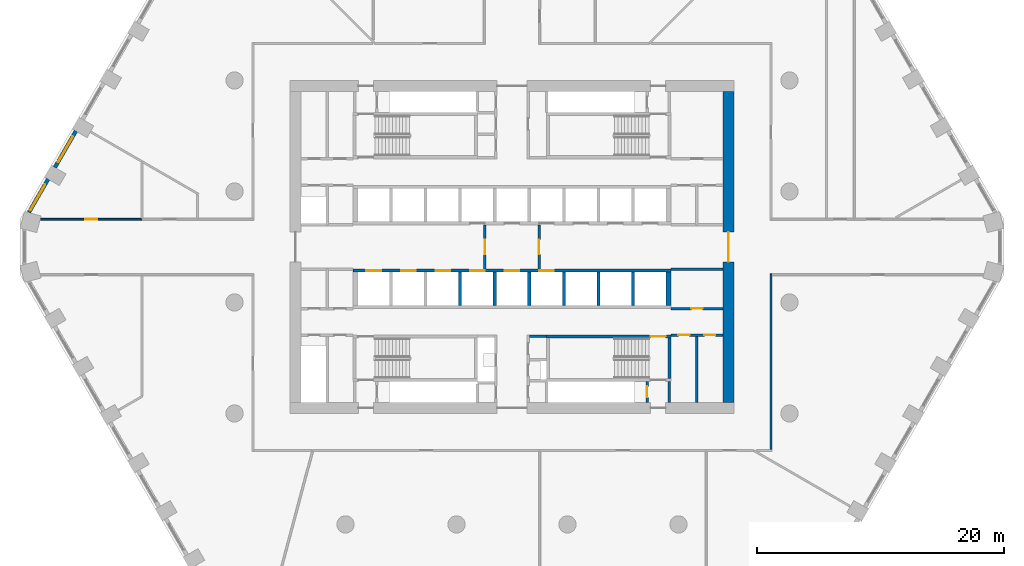
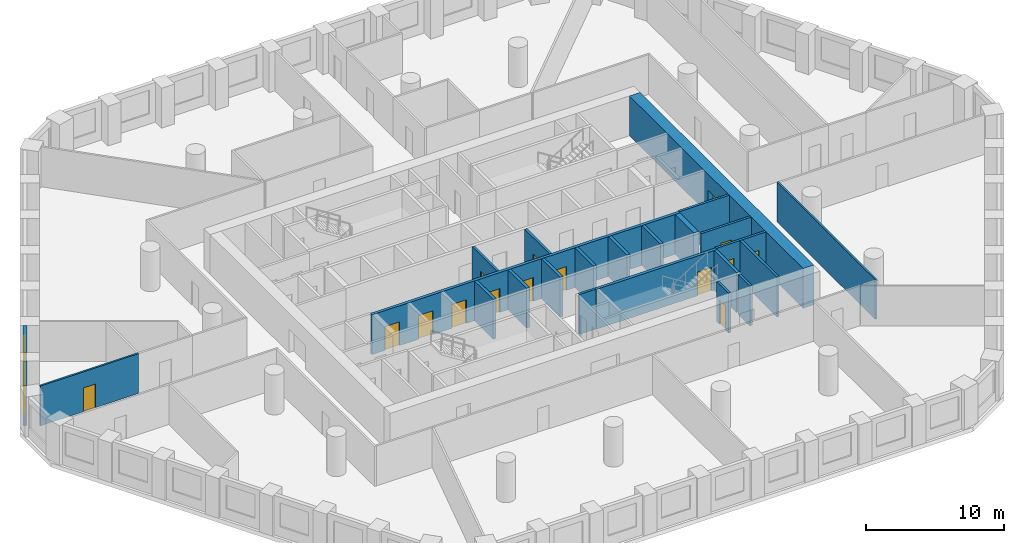
# One storey, part 4 of 10: 24 walls, 15 doors, 2 windows, 17 openings.
"""IFC4 building model written with IfcOpenShell, lengths in metres."""

from ifc_helpers import new_model, si_unit, direction, frame, frame_2d, origin, place, context, subcontext, project, spatial, polyline, rectangle, outline, extrude, material, layer, layer_set, type_object, element, fill, save


model = new_model("IFC4")

# Units and contexts
model_context = context("Model", 3, precision=1e-05, world=origin(), true_north=direction((0.0, 1.0)))
body_context = subcontext(model_context, "Body", "Model", "MODEL_VIEW")
ifc_project = project(units=[si_unit("LENGTHUNIT", "METRE"), si_unit("AREAUNIT", "SQUARE_METRE"), si_unit("VOLUMEUNIT", "CUBIC_METRE"), si_unit("PLANEANGLEUNIT", "RADIAN"), si_unit("MASSUNIT", "GRAM", prefix="KILO")], contexts=[model_context])

# Site, building, storey
site_placement = place(None, origin())
site = spatial("IfcSite", under=ifc_project, at=site_placement, CompositionType="ELEMENT")
building_placement = place(site_placement, origin())
building = spatial("IfcBuilding", under=site, at=building_placement, Name="Dhurran Vertical Campus", CompositionType="ELEMENT")
storey_placement = place(building_placement, frame((0.0, 0.0, 61.199951171875)))
storey = spatial("IfcBuildingStorey", under=building, at=storey_placement, Name="L14", CompositionType="ELEMENT", Elevation=61.199951171875)

# Wall, opening, window
ifc_material_1 = material(Name="Precast concrete C50/60", Category="concrete")
ifc_layer_1 = layer(ifc_material_1, 0.300048828125)
ifc_layer_set_1 = layer_set([ifc_layer_1], Name="Precast concrete C50/60")
wall_type_1 = type_object("IfcWallType", Name="Precast spandrel wall 300", PredefinedType="SOLIDWALL", material=ifc_layer_set_1)
wall_1_placement = place(storey_placement, frame((-35.369384765625, 9.392578125, 0.0), z_axis=(0.0, 0.0, 1.0), x_axis=(-0.499993955907, -0.866028893315, 0.0)))
wall_1 = element("IfcWall", 1, at=wall_1_placement, inside=storey, type_object=wall_type_1, Name="EW1 L14.41", PredefinedType="SOLIDWALL", context=body_context, shape_type="SweptSolid", body=[
    extrude(rectangle(XDim=3.39892578125, YDim=0.300048828125, at=frame_2d((1.699462890625, 0.0))), origin(), (0.0, 0.0, 1.0), 3.525146484375),
])
opening_1_placement = place(wall_1_placement, frame((0.49951171875, 0.0, 0.89990234375)))
opening_1 = element("IfcOpeningElement", 2, at=opening_1_placement, cuts=wall_1, Name="Opening WT1", PredefinedType="OPENING", context=body_context, shape_type="SweptSolid", body=[
    extrude(rectangle(XDim=2.39990234375, YDim=2.10009765625, at=frame_2d((1.199951171875, 1.050048828125))), frame((0.0, 0.159912109375, 0.0), z_axis=(0.0, -1.0, 0.0), x_axis=(1.0, 0.0, 0.0)), (0.0, 0.0, 1.0), 0.320068359375),
])
ifc_material_2 = material(Name="Aluminium frame with solar-control glass", Category="aluminium")
window_type = type_object("IfcWindowType", Name="Punched window 2400 x 2100", PartitioningType="SINGLE_PANEL", PredefinedType="WINDOW", material=ifc_material_2)
window_1_placement = place(opening_1_placement, origin())
window_1 = element("IfcWindow", 3, at=window_1_placement, inside=storey, type_object=window_type, Name="WT1 L14.41", OverallHeight=2.10009765625, OverallWidth=2.39990234375, PartitioningType="SINGLE_PANEL", PredefinedType="WINDOW", context=body_context, shape_type="SweptSolid", body=[
    extrude(rectangle(XDim=2.39990234375, YDim=2.10009765625, at=frame_2d((1.199951171875, 1.050048828125))), frame((0.0, 0.030029296875, 0.0), z_axis=(0.0, -1.0, 0.0), x_axis=(1.0, 0.0, 0.0)), (0.0, 0.0, 1.0), 0.06005859375),
])
fill(opening_1, window_1)

wall_2_placement = place(storey_placement, frame((-37.619384765625, 5.495361328125, 0.0), z_axis=(0.0, 0.0, 1.0), x_axis=(-0.49997090907, -0.866042198789, 0.0)))
wall_2 = element("IfcWall", 4, at=wall_2_placement, inside=storey, type_object=wall_type_1, Name="EW1 L14.42", PredefinedType="SOLIDWALL", context=body_context, shape_type="SweptSolid", body=[
    extrude(rectangle(XDim=3.090576171875, YDim=0.300048828125, at=frame_2d((1.54541015625, 0.0))), origin(), (0.0, 0.0, 1.0), 3.525146484375),
])
opening_2_placement = place(wall_2_placement, frame((0.49951171875, 0.0, 0.89990234375)))
opening_2 = element("IfcOpeningElement", 5, at=opening_2_placement, cuts=wall_2, Name="Opening WT1", PredefinedType="OPENING", context=body_context, shape_type="SweptSolid", body=[
    extrude(rectangle(XDim=2.39990234375, YDim=2.10009765625, at=frame_2d((1.199951171875, 1.050048828125))), frame((0.0, 0.159912109375, 0.0), z_axis=(0.0, -1.0, 0.0), x_axis=(1.0, 0.0, 0.0)), (0.0, 0.0, 1.0), 0.320068359375),
])
window_2_placement = place(opening_2_placement, origin())
window_2 = element("IfcWindow", 6, at=window_2_placement, inside=storey, type_object=window_type, Name="WT1 L14.42", OverallHeight=2.10009765625, OverallWidth=2.39990234375, PartitioningType="SINGLE_PANEL", PredefinedType="WINDOW", context=body_context, shape_type="SweptSolid", body=[
    extrude(rectangle(XDim=2.39990234375, YDim=2.10009765625, at=frame_2d((1.199951171875, 1.050048828125))), frame((0.0, 0.030029296875, 0.0), z_axis=(0.0, -1.0, 0.0), x_axis=(1.0, 0.0, 0.0)), (0.0, 0.0, 1.0), 0.06005859375),
])
fill(opening_2, window_2)

# Wall, opening, door
ifc_material_3 = material(Name="Concrete C60/75", Category="concrete")
ifc_layer_2 = layer(ifc_material_3, 0.89990234375)
ifc_layer_set_2 = layer_set([ifc_layer_2], Name="Concrete C60/75")
wall_type_2 = type_object("IfcWallType", Name="co-CORE-WALL-C0-900", PredefinedType="SHEAR", material=ifc_layer_set_2)
wall_3_placement = place(storey_placement, frame((17.550048828125, -12.60009765625, 0.0), z_axis=(0.0, 0.0, 1.0), x_axis=(0.0, 1.0, 0.0)))
wall_3 = element("IfcWall", 7, at=wall_3_placement, inside=storey, type_object=wall_type_2, Name="Core wall E L14", PredefinedType="SHEAR", context=body_context, shape_type="SweptSolid", body=[
    extrude(rectangle(XDim=25.2001953125, YDim=0.89990234375, at=frame_2d((12.60009765625, 0.0))), origin(), (0.0, 0.0, 1.0), 3.525146484375),
])
opening_3_placement = place(wall_3_placement, frame((11.39990234375, 0.0, 0.0)))
opening_3 = element("IfcOpeningElement", 8, at=opening_3_placement, cuts=wall_3, Name="Opening CL2", PredefinedType="OPENING", context=body_context, shape_type="SweptSolid", body=[
    extrude(rectangle(XDim=2.39990234375, YDim=2.10009765625, at=frame_2d((1.199951171875, 1.050048828125))), frame((0.0, 0.4599609375, 0.0), z_axis=(0.0, -1.0, 0.0), x_axis=(1.0, 0.0, 0.0)), (0.0, 0.0, 1.0), 0.919921875),
])
ifc_material_4 = material(Name="Fire-rated glazed door set")
door_type_1 = type_object("IfcDoorType", Name="co-D-LOBBY 2400x2100", OperationType="DOUBLE_DOOR_DOUBLE_SWING", PredefinedType="DOOR", material=ifc_material_4)
door_1_placement = place(opening_3_placement, origin())
door_1 = element("IfcDoor", 9, at=door_1_placement, inside=storey, type_object=door_type_1, Name="Lift lobby door E L14", OperationType="DOUBLE_DOOR_DOUBLE_SWING", OverallHeight=2.10009765625, OverallWidth=2.39990234375, PredefinedType="DOOR", context=body_context, shape_type="SweptSolid", body=[
    extrude(rectangle(XDim=2.39990234375, YDim=2.10009765625, at=frame_2d((1.199951171875, 1.050048828125))), frame((0.0, 0.02490234375, 0.0), z_axis=(0.0, -1.0, 0.0), x_axis=(1.0, 0.0, 0.0)), (0.0, 0.0, 1.0), 0.050048828125),
])
fill(opening_3, door_1)

ifc_material_5 = material(Name="Fire-rated masonry blockwork", Category="masonry")
ifc_layer_3 = layer(ifc_material_5, 0.199951171875)
ifc_layer_set_3 = layer_set([ifc_layer_3], Name="Fire-rated masonry blockwork")
wall_type_3 = type_object("IfcWallType", Name="co-FIRE-PARTITION-200", PredefinedType="PARTITIONING", material=ifc_layer_set_3)
wall_4_placement = place(storey_placement, frame((-2.199951171875, -1.800048828125, 0.0), z_axis=(0.0, 0.0, 1.0), x_axis=(0.0, 1.0, 0.0)))
wall_4 = element("IfcWall", 10, at=wall_4_placement, inside=storey, type_object=wall_type_3, Name="Firefighting lobby wall W L14", PredefinedType="PARTITIONING", context=body_context, shape_type="SweptSolid", body=[
    extrude(rectangle(XDim=3.60009765625, YDim=0.199951171875, at=frame_2d((1.800048828125, 0.0))), origin(), (0.0, 0.0, 1.0), 3.525146484375),
])
opening_4_placement = place(wall_4_placement, frame((1.199951171875, 0.0, 0.0)))
opening_4 = element("IfcOpeningElement", 11, at=opening_4_placement, cuts=wall_4, Name="Opening FL1", PredefinedType="OPENING", context=body_context, shape_type="SweptSolid", body=[
    extrude(rectangle(XDim=1.199951171875, YDim=2.10009765625, at=frame_2d((0.60009765625, 1.050048828125))), frame((0.0, 0.10986328125, 0.0), z_axis=(0.0, -1.0, 0.0), x_axis=(1.0, 0.0, 0.0)), (0.0, 0.0, 1.0), 0.219970703125),
])
ifc_material_6 = material(Name="Fire-rated steel door set", Category="steel")
door_type_2 = type_object("IfcDoorType", Name="co-D-FFLOBBY 1200x2100", OperationType="SINGLE_SWING_LEFT", PredefinedType="DOOR", material=ifc_material_6)
door_2_placement = place(opening_4_placement, origin())
door_2 = element("IfcDoor", 12, at=door_2_placement, inside=storey, type_object=door_type_2, Name="Firefighting lobby door W L14", OperationType="SINGLE_SWING_LEFT", OverallHeight=2.10009765625, OverallWidth=1.199951171875, PredefinedType="DOOR", context=body_context, shape_type="SweptSolid", body=[
    extrude(rectangle(XDim=1.199951171875, YDim=2.10009765625, at=frame_2d((0.60009765625, 1.050048828125))), frame((0.0, 0.02490234375, 0.0), z_axis=(0.0, -1.0, 0.0), x_axis=(1.0, 0.0, 0.0)), (0.0, 0.0, 1.0), 0.050048828125),
])
fill(opening_4, door_2)

wall_5_placement = place(storey_placement, frame((2.199951171875, -1.800048828125, 0.0), z_axis=(0.0, 0.0, 1.0), x_axis=(0.0, 1.0, 0.0)))
wall_5 = element("IfcWall", 13, at=wall_5_placement, inside=storey, type_object=wall_type_3, Name="Firefighting lobby wall E L14", PredefinedType="PARTITIONING", context=body_context, shape_type="SweptSolid", body=[
    extrude(rectangle(XDim=3.60009765625, YDim=0.199951171875, at=frame_2d((1.800048828125, 0.0))), origin(), (0.0, 0.0, 1.0), 3.525146484375),
])
opening_5_placement = place(wall_5_placement, frame((1.199951171875, 0.0, 0.0)))
opening_5 = element("IfcOpeningElement", 14, at=opening_5_placement, cuts=wall_5, Name="Opening FL2", PredefinedType="OPENING", context=body_context, shape_type="SweptSolid", body=[
    extrude(rectangle(XDim=1.199951171875, YDim=2.10009765625, at=frame_2d((0.60009765625, 1.050048828125))), frame((0.0, 0.10986328125, 0.0), z_axis=(0.0, -1.0, 0.0), x_axis=(1.0, 0.0, 0.0)), (0.0, 0.0, 1.0), 0.219970703125),
])
door_3_placement = place(opening_5_placement, origin())
door_3 = element("IfcDoor", 15, at=door_3_placement, inside=storey, type_object=door_type_2, Name="Firefighting lobby door E L14", OperationType="SINGLE_SWING_LEFT", OverallHeight=2.10009765625, OverallWidth=1.199951171875, PredefinedType="DOOR", context=body_context, shape_type="SweptSolid", body=[
    extrude(rectangle(XDim=1.199951171875, YDim=2.10009765625, at=frame_2d((0.60009765625, 1.050048828125))), frame((0.0, 0.02490234375, 0.0), z_axis=(0.0, -1.0, 0.0), x_axis=(1.0, 0.0, 0.0)), (0.0, 0.0, 1.0), 0.050048828125),
])
fill(opening_5, door_3)

# Walls
wall_6_placement = place(storey_placement, frame((1.39990234375, -7.25, 0.0), z_axis=(0.0, 0.0, 1.0), x_axis=(1.0, 0.0, 0.0)))
element("IfcWall", 16, at=wall_6_placement, inside=storey, type_object=wall_type_3, Name="Core partition sl-SE-S L14", PredefinedType="PARTITIONING", context=body_context, shape_type="SweptSolid", body=[
    extrude(rectangle(XDim=1.400146484375, YDim=0.199951171875, at=frame_2d((0.7001953125, 0.0))), origin(), (0.0, 0.0, 1.0), 3.525146484375),
])
wall_7_placement = place(storey_placement, frame((12.75, -12.60009765625, 0.0), z_axis=(0.0, 0.0, 1.0), x_axis=(0.0, 1.0, 0.0)))
element("IfcWall", 17, at=wall_7_placement, inside=storey, type_object=wall_type_3, Name="Core partition pass-ST4-o L14", PredefinedType="PARTITIONING", context=body_context, shape_type="SweptSolid", body=[
    extrude(rectangle(XDim=1.7001953125, YDim=0.199951171875, at=frame_2d((0.85009765625, 0.0))), origin(), (0.0, 0.0, 1.0), 3.525146484375),
])

# Wall, opening, door
wall_8_placement = place(storey_placement, frame((10.949951171875, -12.60009765625, 0.0), z_axis=(0.0, 0.0, 1.0), x_axis=(0.0, 1.0, 0.0)))
wall_8 = element("IfcWall", 18, at=wall_8_placement, inside=storey, type_object=wall_type_3, Name="Core partition pass-ST4-i L14", PredefinedType="PARTITIONING", context=body_context, shape_type="SweptSolid", body=[
    extrude(rectangle(XDim=1.7001953125, YDim=0.199951171875, at=frame_2d((0.85009765625, 0.0))), origin(), (0.0, 0.0, 1.0), 3.525146484375),
])
opening_6_placement = place(wall_8_placement, frame((0.39990234375, 0.0, 0.0)))
opening_6 = element("IfcOpeningElement", 19, at=opening_6_placement, cuts=wall_8, Name="Opening T03-C13", PredefinedType="OPENING", context=body_context, shape_type="SweptSolid", body=[
    extrude(rectangle(XDim=0.89990234375, YDim=2.10009765625, at=frame_2d((0.449951171875, 1.050048828125))), frame((0.0, 0.10986328125, 0.0), z_axis=(0.0, -1.0, 0.0), x_axis=(1.0, 0.0, 0.0)), (0.0, 0.0, 1.0), 0.219970703125),
])
ifc_material_7 = material(Name="Fire-rated timber door set", Category="wood")
door_type_3 = type_object("IfcDoorType", Name="co-D-ROOM 900x2100", OperationType="SINGLE_SWING_LEFT", PredefinedType="DOOR", material=ifc_material_7)
door_4_placement = place(opening_6_placement, origin())
door_4 = element("IfcDoor", 20, at=door_4_placement, inside=storey, type_object=door_type_3, Name="Riser room door L14", OperationType="SINGLE_SWING_LEFT", OverallHeight=2.10009765625, OverallWidth=0.89990234375, PredefinedType="DOOR", context=body_context, shape_type="SweptSolid", body=[
    extrude(rectangle(XDim=0.89990234375, YDim=2.10009765625, at=frame_2d((0.449951171875, 1.050048828125))), frame((0.0, 0.02490234375, 0.0), z_axis=(0.0, -1.0, 0.0), x_axis=(1.0, 0.0, 0.0)), (0.0, 0.0, 1.0), 0.050048828125),
])
fill(opening_6, door_4)

# Wall
wall_9_placement = place(storey_placement, frame((15.0, -12.60009765625, 0.0), z_axis=(0.0, 0.0, 1.0), x_axis=(0.0, 1.0, 0.0)))
element("IfcWall", 21, at=wall_9_placement, inside=storey, type_object=wall_type_3, Name="Core partition en-SE-cut0 L14", PredefinedType="PARTITIONING", context=body_context, shape_type="SweptSolid", body=[
    extrude(rectangle(XDim=5.4501953125, YDim=0.199951171875, at=frame_2d((2.72509765625, 0.0))), origin(), (0.0, 0.0, 1.0), 3.525146484375),
])

# Wall, openings, doors
wall_10_placement = place(storey_placement, frame((12.89990234375, -7.14990234375, 0.0), z_axis=(0.0, 0.0, 1.0), x_axis=(1.0, 0.0, 0.0)))
wall_10 = element("IfcWall", 22, at=wall_10_placement, inside=storey, type_object=wall_type_3, Name="Core partition en-SE-w L14", PredefinedType="PARTITIONING", context=body_context, shape_type="SweptSolid", body=[
    extrude(rectangle(XDim=4.2001953125, YDim=0.199951171875, at=frame_2d((2.10009765625, 0.0))), origin(), (0.0, 0.0, 1.0), 3.525146484375),
])
opening_7_placement = place(wall_10_placement, frame((0.60009765625, 0.0, 0.0)))
opening_7 = element("IfcOpeningElement", 23, at=opening_7_placement, cuts=wall_10, Name="Opening T03-C25", PredefinedType="OPENING", context=body_context, shape_type="SweptSolid", body=[
    extrude(rectangle(XDim=0.89990234375, YDim=2.10009765625, at=frame_2d((0.449951171875, 1.050048828125))), frame((0.0, 0.10986328125, 0.0), z_axis=(0.0, -1.0, 0.0), x_axis=(1.0, 0.0, 0.0)), (0.0, 0.0, 1.0), 0.219970703125),
])
opening_8_placement = place(wall_10_placement, frame((2.699951171875, 0.0, 0.0)))
opening_8 = element("IfcOpeningElement", 24, at=opening_8_placement, cuts=wall_10, Name="Opening T03-C26", PredefinedType="OPENING", context=body_context, shape_type="SweptSolid", body=[
    extrude(rectangle(XDim=0.89990234375, YDim=2.10009765625, at=frame_2d((0.449951171875, 1.050048828125))), frame((0.0, 0.10986328125, 0.0), z_axis=(0.0, -1.0, 0.0), x_axis=(1.0, 0.0, 0.0)), (0.0, 0.0, 1.0), 0.219970703125),
])
door_5_placement = place(opening_7_placement, origin())
door_5 = element("IfcDoor", 25, at=door_5_placement, inside=storey, type_object=door_type_3, Name="Server room door L14", OperationType="SINGLE_SWING_LEFT", OverallHeight=2.10009765625, OverallWidth=0.89990234375, PredefinedType="DOOR", context=body_context, shape_type="SweptSolid", body=[
    extrude(rectangle(XDim=0.89990234375, YDim=2.10009765625, at=frame_2d((0.449951171875, 1.050048828125))), frame((0.0, 0.02490234375, 0.0), z_axis=(0.0, -1.0, 0.0), x_axis=(1.0, 0.0, 0.0)), (0.0, 0.0, 1.0), 0.050048828125),
])
fill(opening_7, door_5)
door_6_placement = place(opening_8_placement, origin())
door_6 = element("IfcDoor", 26, at=door_6_placement, inside=storey, type_object=door_type_3, Name="Fire equipment store door L14", OperationType="SINGLE_SWING_LEFT", OverallHeight=2.10009765625, OverallWidth=0.89990234375, PredefinedType="DOOR", context=body_context, shape_type="SweptSolid", body=[
    extrude(rectangle(XDim=0.89990234375, YDim=2.10009765625, at=frame_2d((0.449951171875, 1.050048828125))), frame((0.0, 0.02490234375, 0.0), z_axis=(0.0, -1.0, 0.0), x_axis=(1.0, 0.0, 0.0)), (0.0, 0.0, 1.0), 0.050048828125),
])
fill(opening_8, door_6)

# Wall, opening, door
wall_11_placement = place(storey_placement, frame((12.89990234375, -5.0, 0.0), z_axis=(0.0, 0.0, 1.0), x_axis=(1.0, 0.0, 0.0)))
wall_11 = element("IfcWall", 27, at=wall_11_placement, inside=storey, type_object=wall_type_3, Name="Core partition es-SE-w L14", PredefinedType="PARTITIONING", context=body_context, shape_type="SweptSolid", body=[
    extrude(rectangle(XDim=4.2001953125, YDim=0.199951171875, at=frame_2d((2.10009765625, 0.0))), origin(), (0.0, 0.0, 1.0), 3.525146484375),
])
opening_9_placement = place(wall_11_placement, frame((1.64990234375, 0.0, 0.0)))
opening_9 = element("IfcOpeningElement", 28, at=opening_9_placement, cuts=wall_11, Name="Opening T03-C27", PredefinedType="OPENING", context=body_context, shape_type="SweptSolid", body=[
    extrude(rectangle(XDim=0.89990234375, YDim=2.10009765625, at=frame_2d((0.449951171875, 1.050048828125))), frame((0.0, 0.10986328125, 0.0), z_axis=(0.0, -1.0, 0.0), x_axis=(1.0, 0.0, 0.0)), (0.0, 0.0, 1.0), 0.219970703125),
])
door_7_placement = place(opening_9_placement, origin())
door_7 = element("IfcDoor", 29, at=door_7_placement, inside=storey, type_object=door_type_3, Name="Server room door L14", OperationType="SINGLE_SWING_LEFT", OverallHeight=2.10009765625, OverallWidth=0.89990234375, PredefinedType="DOOR", context=body_context, shape_type="SweptSolid", body=[
    extrude(rectangle(XDim=0.89990234375, YDim=2.10009765625, at=frame_2d((0.449951171875, 1.050048828125))), frame((0.0, 0.02490234375, 0.0), z_axis=(0.0, -1.0, 0.0), x_axis=(1.0, 0.0, 0.0)), (0.0, 0.0, 1.0), 0.050048828125),
])
fill(opening_9, door_7)

# Wall
wall_12_placement = place(storey_placement, frame((12.89990234375, -1.800048828125, 0.0), z_axis=(0.0, 0.0, 1.0), x_axis=(1.0, 0.0, 0.0)))
element("IfcWall", 30, at=wall_12_placement, inside=storey, type_object=wall_type_3, Name="Core partition es-SE-l L14", PredefinedType="PARTITIONING", context=body_context, shape_type="SweptSolid", body=[
    extrude(rectangle(XDim=4.2001953125, YDim=0.199951171875, at=frame_2d((2.10009765625, 0.0))), origin(), (0.0, 0.0, 1.0), 3.525146484375),
])

# Wall, openings, doors
ifc_material_8 = material(Name="Concrete C50/60", Category="concrete")
ifc_layer_4 = layer(ifc_material_8, 0.25)
ifc_layer_set_4 = layer_set([ifc_layer_4], Name="Concrete C50/60")
wall_type_4 = type_object("IfcWallType", Name="co-SHAFT-FRONT-250", PredefinedType="SHEAR", material=ifc_layer_set_4)
wall_13_placement = place(storey_placement, frame((-12.89990234375, -1.925048828125, 0.0), z_axis=(0.0, 0.0, 1.0), x_axis=(1.0, 0.0, 0.0)))
wall_13 = element("IfcWall", 31, at=wall_13_placement, inside=storey, type_object=wall_type_4, Name="Lift landing wall S L14", PredefinedType="SHEAR", context=body_context, shape_type="SweptSolid", body=[
    extrude(rectangle(XDim=25.7998046875, YDim=0.25, at=frame_2d((12.89990234375, 0.0))), origin(), (0.0, 0.0, 1.0), 3.525146484375),
])
opening_10_placement = place(wall_13_placement, frame((1.10009765625, 0.0, 0.0)))
opening_10 = element("IfcOpeningElement", 32, at=opening_10_placement, cuts=wall_13, Name="Opening LD", PredefinedType="OPENING", context=body_context, shape_type="SweptSolid", body=[
    extrude(rectangle(XDim=1.199951171875, YDim=2.10009765625, at=frame_2d((0.60009765625, 1.050048828125))), frame((0.0, 0.135009765625, 0.0), z_axis=(0.0, -1.0, 0.0), x_axis=(1.0, 0.0, 0.0)), (0.0, 0.0, 1.0), 0.27001953125),
])
opening_11_placement = place(wall_13_placement, frame((3.89990234375, 0.0, 0.0)))
opening_11 = element("IfcOpeningElement", 33, at=opening_11_placement, cuts=wall_13, Name="Opening LD", PredefinedType="OPENING", context=body_context, shape_type="SweptSolid", body=[
    extrude(rectangle(XDim=1.199951171875, YDim=2.10009765625, at=frame_2d((0.60009765625, 1.050048828125))), frame((0.0, 0.135009765625, 0.0), z_axis=(0.0, -1.0, 0.0), x_axis=(1.0, 0.0, 0.0)), (0.0, 0.0, 1.0), 0.27001953125),
])
opening_12_placement = place(wall_13_placement, frame((6.699951171875, 0.0, 0.0)))
opening_12 = element("IfcOpeningElement", 34, at=opening_12_placement, cuts=wall_13, Name="Opening LD", PredefinedType="OPENING", context=body_context, shape_type="SweptSolid", body=[
    extrude(rectangle(XDim=1.199951171875, YDim=2.10009765625, at=frame_2d((0.60009765625, 1.050048828125))), frame((0.0, 0.135009765625, 0.0), z_axis=(0.0, -1.0, 0.0), x_axis=(1.0, 0.0, 0.0)), (0.0, 0.0, 1.0), 0.27001953125),
])
opening_13_placement = place(wall_13_placement, frame((9.5, 0.0, 0.0)))
opening_13 = element("IfcOpeningElement", 35, at=opening_13_placement, cuts=wall_13, Name="Opening LD", PredefinedType="OPENING", context=body_context, shape_type="SweptSolid", body=[
    extrude(rectangle(XDim=1.199951171875, YDim=2.10009765625, at=frame_2d((0.60009765625, 1.050048828125))), frame((0.0, 0.135009765625, 0.0), z_axis=(0.0, -1.0, 0.0), x_axis=(1.0, 0.0, 0.0)), (0.0, 0.0, 1.0), 0.27001953125),
])
opening_14_placement = place(wall_13_placement, frame((12.300048828125, 0.0, 0.0)))
opening_14 = element("IfcOpeningElement", 36, at=opening_14_placement, cuts=wall_13, Name="Opening LD", PredefinedType="OPENING", context=body_context, shape_type="SweptSolid", body=[
    extrude(rectangle(XDim=1.199951171875, YDim=2.10009765625, at=frame_2d((0.60009765625, 1.050048828125))), frame((0.0, 0.135009765625, 0.0), z_axis=(0.0, -1.0, 0.0), x_axis=(1.0, 0.0, 0.0)), (0.0, 0.0, 1.0), 0.27001953125),
])
opening_15_placement = place(wall_13_placement, frame((15.10009765625, 0.0, 0.0)))
opening_15 = element("IfcOpeningElement", 37, at=opening_15_placement, cuts=wall_13, Name="Opening LD", PredefinedType="OPENING", context=body_context, shape_type="SweptSolid", body=[
    extrude(rectangle(XDim=1.199951171875, YDim=2.10009765625, at=frame_2d((0.60009765625, 1.050048828125))), frame((0.0, 0.135009765625, 0.0), z_axis=(0.0, -1.0, 0.0), x_axis=(1.0, 0.0, 0.0)), (0.0, 0.0, 1.0), 0.27001953125),
])
ifc_material_9 = material(Name="Stainless steel landing door", Category="steel")
door_type_4 = type_object("IfcDoorType", Name="co-D-LANDING 1200x2100", OperationType="DOUBLE_DOOR_SLIDING", PredefinedType="DOOR", material=ifc_material_9)
door_8_placement = place(opening_10_placement, origin())
door_8 = element("IfcDoor", 38, at=door_8_placement, inside=storey, type_object=door_type_4, Name="Landing door LR5 L14", OperationType="DOUBLE_DOOR_SLIDING", OverallHeight=2.10009765625, OverallWidth=1.199951171875, PredefinedType="DOOR", context=body_context, shape_type="SweptSolid", body=[
    extrude(rectangle(XDim=1.199951171875, YDim=2.10009765625, at=frame_2d((0.60009765625, 1.050048828125))), frame((0.0, 0.02490234375, 0.0), z_axis=(0.0, -1.0, 0.0), x_axis=(1.0, 0.0, 0.0)), (0.0, 0.0, 1.0), 0.050048828125),
])
fill(opening_10, door_8)
door_9_placement = place(opening_11_placement, origin())
door_9 = element("IfcDoor", 39, at=door_9_placement, inside=storey, type_object=door_type_4, Name="Landing door LR6 L14", OperationType="DOUBLE_DOOR_SLIDING", OverallHeight=2.10009765625, OverallWidth=1.199951171875, PredefinedType="DOOR", context=body_context, shape_type="SweptSolid", body=[
    extrude(rectangle(XDim=1.199951171875, YDim=2.10009765625, at=frame_2d((0.60009765625, 1.050048828125))), frame((0.0, 0.02490234375, 0.0), z_axis=(0.0, -1.0, 0.0), x_axis=(1.0, 0.0, 0.0)), (0.0, 0.0, 1.0), 0.050048828125),
])
fill(opening_11, door_9)
door_10_placement = place(opening_12_placement, origin())
door_10 = element("IfcDoor", 40, at=door_10_placement, inside=storey, type_object=door_type_4, Name="Landing door LR7 L14", OperationType="DOUBLE_DOOR_SLIDING", OverallHeight=2.10009765625, OverallWidth=1.199951171875, PredefinedType="DOOR", context=body_context, shape_type="SweptSolid", body=[
    extrude(rectangle(XDim=1.199951171875, YDim=2.10009765625, at=frame_2d((0.60009765625, 1.050048828125))), frame((0.0, 0.02490234375, 0.0), z_axis=(0.0, -1.0, 0.0), x_axis=(1.0, 0.0, 0.0)), (0.0, 0.0, 1.0), 0.050048828125),
])
fill(opening_12, door_10)
door_11_placement = place(opening_13_placement, origin())
door_11 = element("IfcDoor", 41, at=door_11_placement, inside=storey, type_object=door_type_4, Name="Landing door LR8 L14", OperationType="DOUBLE_DOOR_SLIDING", OverallHeight=2.10009765625, OverallWidth=1.199951171875, PredefinedType="DOOR", context=body_context, shape_type="SweptSolid", body=[
    extrude(rectangle(XDim=1.199951171875, YDim=2.10009765625, at=frame_2d((0.60009765625, 1.050048828125))), frame((0.0, 0.02490234375, 0.0), z_axis=(0.0, -1.0, 0.0), x_axis=(1.0, 0.0, 0.0)), (0.0, 0.0, 1.0), 0.050048828125),
])
fill(opening_13, door_11)
door_12_placement = place(opening_14_placement, origin())
door_12 = element("IfcDoor", 42, at=door_12_placement, inside=storey, type_object=door_type_4, Name="Landing door FF2 L14", OperationType="DOUBLE_DOOR_SLIDING", OverallHeight=2.10009765625, OverallWidth=1.199951171875, PredefinedType="DOOR", context=body_context, shape_type="SweptSolid", body=[
    extrude(rectangle(XDim=1.199951171875, YDim=2.10009765625, at=frame_2d((0.60009765625, 1.050048828125))), frame((0.0, 0.02490234375, 0.0), z_axis=(0.0, -1.0, 0.0), x_axis=(1.0, 0.0, 0.0)), (0.0, 0.0, 1.0), 0.050048828125),
])
fill(opening_14, door_12)
door_13_placement = place(opening_15_placement, origin())
door_13 = element("IfcDoor", 43, at=door_13_placement, inside=storey, type_object=door_type_4, Name="Landing door SV1 L14", OperationType="DOUBLE_DOOR_SLIDING", OverallHeight=2.10009765625, OverallWidth=1.199951171875, PredefinedType="DOOR", context=body_context, shape_type="SweptSolid", body=[
    extrude(rectangle(XDim=1.199951171875, YDim=2.10009765625, at=frame_2d((0.60009765625, 1.050048828125))), frame((0.0, 0.02490234375, 0.0), z_axis=(0.0, -1.0, 0.0), x_axis=(1.0, 0.0, 0.0)), (0.0, 0.0, 1.0), 0.050048828125),
])
fill(opening_15, door_13)

# Walls
ifc_material_10 = material(Name="Concrete C50/60", Category="concrete")
ifc_layer_5 = layer(ifc_material_10, 0.25)
ifc_layer_set_5 = layer_set([ifc_layer_5], Name="Concrete C50/60")
wall_type_5 = type_object("IfcWallType", Name="co-SHAFT-MASS-250", PredefinedType="SHEAR", material=ifc_layer_set_5)
wall_14_placement = place(storey_placement, origin())
element("IfcWall", 44, at=wall_14_placement, inside=storey, type_object=wall_type_5, Name="Lift shaft wall S L14 5", PredefinedType="SHEAR", context=body_context, shape_type="SweptSolid", body=[
    extrude(outline(polyline([(-4.324951171875, -4.75), (-4.074951171875, -4.75), (-4.074951171875, -2.050048828125), (-4.324951171875, -2.050048828125), (-4.324951171875, -4.75)])), origin(), (0.0, 0.0, 1.0), 3.525146484375),
])
wall_15_placement = place(storey_placement, origin())
element("IfcWall", 45, at=wall_15_placement, inside=storey, type_object=wall_type_5, Name="Lift shaft wall S L14 6", PredefinedType="SHEAR", context=body_context, shape_type="SweptSolid", body=[
    extrude(outline(polyline([(-1.52490234375, -4.75), (-1.27490234375, -4.75), (-1.27490234375, -2.050048828125), (-1.52490234375, -2.050048828125), (-1.52490234375, -4.75)])), origin(), (0.0, 0.0, 1.0), 3.525146484375),
])
wall_16_placement = place(storey_placement, origin())
element("IfcWall", 46, at=wall_16_placement, inside=storey, type_object=wall_type_5, Name="Lift shaft wall S L14 7", PredefinedType="SHEAR", context=body_context, shape_type="SweptSolid", body=[
    extrude(outline(polyline([(1.27490234375, -4.75), (1.52490234375, -4.75), (1.52490234375, -2.050048828125), (1.27490234375, -2.050048828125), (1.27490234375, -4.75)])), origin(), (0.0, 0.0, 1.0), 3.525146484375),
])
wall_17_placement = place(storey_placement, origin())
element("IfcWall", 47, at=wall_17_placement, inside=storey, type_object=wall_type_5, Name="Lift shaft wall S L14 8", PredefinedType="SHEAR", context=body_context, shape_type="SweptSolid", body=[
    extrude(outline(polyline([(4.074951171875, -4.75), (4.324951171875, -4.75), (4.324951171875, -2.050048828125), (4.074951171875, -2.050048828125), (4.074951171875, -4.75)])), origin(), (0.0, 0.0, 1.0), 3.525146484375),
])
wall_18_placement = place(storey_placement, origin())
element("IfcWall", 48, at=wall_18_placement, inside=storey, type_object=wall_type_5, Name="Lift shaft wall S L14 9", PredefinedType="SHEAR", context=body_context, shape_type="SweptSolid", body=[
    extrude(outline(polyline([(6.875, -4.75), (7.125, -4.75), (7.125, -2.050048828125), (6.875, -2.050048828125), (6.875, -4.75)])), origin(), (0.0, 0.0, 1.0), 3.525146484375),
])
wall_19_placement = place(storey_placement, origin())
element("IfcWall", 49, at=wall_19_placement, inside=storey, type_object=wall_type_5, Name="Lift shaft wall S L14 10", PredefinedType="SHEAR", context=body_context, shape_type="SweptSolid", body=[
    extrude(outline(polyline([(9.675048828125, -4.75), (9.925048828125, -4.75), (9.925048828125, -2.050048828125), (9.675048828125, -2.050048828125), (9.675048828125, -4.75)])), origin(), (0.0, 0.0, 1.0), 3.525146484375),
])
wall_20_placement = place(storey_placement, origin())
element("IfcWall", 50, at=wall_20_placement, inside=storey, type_object=wall_type_5, Name="Lift shaft wall S L14 11", PredefinedType="SHEAR", context=body_context, shape_type="SweptSolid", body=[
    extrude(outline(polyline([(12.47509765625, -4.75), (12.89990234375, -4.75), (12.89990234375, -2.050048828125), (12.47509765625, -2.050048828125), (12.47509765625, -4.75)])), origin(), (0.0, 0.0, 1.0), 3.525146484375),
])

# Wall, opening, door
ifc_material_11 = material(Name="Concrete C40/50", Category="concrete")
ifc_layer_6 = layer(ifc_material_11, 0.25)
ifc_layer_set_6 = layer_set([ifc_layer_6], Name="Concrete C40/50")
wall_type_6 = type_object("IfcWallType", Name="co-STAIR-WALL-250", PredefinedType="SHEAR", material=ifc_layer_set_6)
wall_21_placement = place(storey_placement, frame((2.800048828125, -7.27490234375, 0.0), z_axis=(0.0, 0.0, 1.0), x_axis=(1.0, 0.0, 0.0)))
wall_21 = element("IfcWall", 51, at=wall_21_placement, inside=storey, type_object=wall_type_6, Name="Stair ST4 enclosure wall L14", PredefinedType="SHEAR", context=body_context, shape_type="SweptSolid", body=[
    extrude(rectangle(XDim=10.099853515625, YDim=0.25, at=frame_2d((5.0498046875, 0.0))), origin(), (0.0, 0.0, 1.0), 3.525146484375),
])
opening_16_placement = place(wall_21_placement, frame((8.449951171875, 0.0, 0.0)))
opening_16 = element("IfcOpeningElement", 52, at=opening_16_placement, cuts=wall_21, Name="Opening SD4", PredefinedType="OPENING", context=body_context, shape_type="SweptSolid", body=[
    extrude(rectangle(XDim=1.199951171875, YDim=2.10009765625, at=frame_2d((0.60009765625, 1.050048828125))), frame((0.0, 0.135009765625, 0.0), z_axis=(0.0, -1.0, 0.0), x_axis=(1.0, 0.0, 0.0)), (0.0, 0.0, 1.0), 0.27001953125),
])
ifc_material_12 = material(Name="Fire-rated steel door set", Category="steel")
door_type_5 = type_object("IfcDoorType", Name="co-D-STAIR 1200x2100", OperationType="SINGLE_SWING_LEFT", PredefinedType="DOOR", material=ifc_material_12)
door_14_placement = place(opening_16_placement, origin())
door_14 = element("IfcDoor", 53, at=door_14_placement, inside=storey, type_object=door_type_5, Name="Stair ST4 door L14", OperationType="SINGLE_SWING_LEFT", OverallHeight=2.10009765625, OverallWidth=1.199951171875, PredefinedType="DOOR", context=body_context, shape_type="SweptSolid", body=[
    extrude(rectangle(XDim=1.199951171875, YDim=2.10009765625, at=frame_2d((0.60009765625, 1.050048828125))), frame((0.0, 0.02490234375, 0.0), z_axis=(0.0, -1.0, 0.0), x_axis=(1.0, 0.0, 0.0)), (0.0, 0.0, 1.0), 0.050048828125),
])
fill(opening_16, door_14)

# Wall
wall_22_placement = place(storey_placement, frame((12.77490234375, -10.64990234375, 0.0), z_axis=(0.0, 0.0, 1.0), x_axis=(0.0, 1.0, 0.0)))
element("IfcWall", 54, at=wall_22_placement, inside=storey, type_object=wall_type_6, Name="Stair ST4 enclosure wall L14", PredefinedType="SHEAR", context=body_context, shape_type="SweptSolid", body=[
    extrude(rectangle(XDim=3.25, YDim=0.25, at=frame_2d((1.625, 0.0))), origin(), (0.0, 0.0, 1.0), 3.525146484375),
])

# Wall, opening, door
ifc_material_13 = material(Name="Gypsum board corridor wall on steel studs", Category="steel")
ifc_layer_7 = layer(ifc_material_13, 0.14990234375)
ifc_layer_set_7 = layer_set([ifc_layer_7], Name="Gypsum board corridor wall on steel studs")
wall_type_7 = type_object("IfcWallType", Name="fl-CW-150 corridor wall", PredefinedType="PARTITIONING", material=ifc_layer_set_7)
wall_23_placement = place(storey_placement, frame((-38.23291015625, 2.25, 0.0), z_axis=(0.0, 0.0, 1.0), x_axis=(1.0, 0.0, 0.0)))
wall_23 = element("IfcWall", 55, at=wall_23_placement, inside=storey, type_object=wall_type_7, Name="Partition 14-02", PredefinedType="PARTITIONING", context=body_context, shape_type="SweptSolid", body=[
    extrude(rectangle(XDim=8.23291015625, YDim=0.14990234375, at=frame_2d((4.116455078125, 0.0))), origin(), (0.0, 0.0, 1.0), 3.525146484375),
])
opening_17_placement = place(wall_23_placement, frame((3.616455078125, 0.0, 0.0)))
opening_17 = element("IfcOpeningElement", 56, at=opening_17_placement, cuts=wall_23, Name="Opening T03.01", PredefinedType="OPENING", context=body_context, shape_type="SweptSolid", body=[
    extrude(rectangle(XDim=1.0, YDim=2.10009765625, at=frame_2d((0.5, 1.050048828125))), frame((0.0, 0.0849609375, 0.0), z_axis=(0.0, -1.0, 0.0), x_axis=(1.0, 0.0, 0.0)), (0.0, 0.0, 1.0), 0.169921875),
])
ifc_material_14 = material(Name="Solid-core timber door set, fire-rated", Category="wood")
door_type_6 = type_object("IfcDoorType", Name="fl-D-1000x2100", OperationType="SINGLE_SWING_LEFT", PredefinedType="DOOR", material=ifc_material_14)
door_15_placement = place(opening_17_placement, origin())
door_15 = element("IfcDoor", 57, at=door_15_placement, inside=storey, type_object=door_type_6, Name="Door 14.01", OperationType="SINGLE_SWING_LEFT", OverallHeight=2.10009765625, OverallWidth=1.0, PredefinedType="DOOR", context=body_context, shape_type="SweptSolid", body=[
    extrude(rectangle(XDim=1.0, YDim=2.10009765625, at=frame_2d((0.5, 1.050048828125))), frame((0.0, 0.02490234375, 0.0), z_axis=(0.0, -1.0, 0.0), x_axis=(1.0, 0.0, 0.0)), (0.0, 0.0, 1.0), 0.050048828125),
])
fill(opening_17, door_15)

# Wall
wall_24_placement = place(storey_placement, frame((21.0, -16.425048828125, 0.0), z_axis=(0.0, 0.0, 1.0), x_axis=(0.0, 1.0, 0.0)))
element("IfcWall", 58, at=wall_24_placement, inside=storey, type_object=wall_type_7, Name="Partition 14-41", PredefinedType="PARTITIONING", context=body_context, shape_type="SweptSolid", body=[
    extrude(rectangle(XDim=14.25, YDim=0.14990234375, at=frame_2d((7.125, 0.0))), origin(), (0.0, 0.0, 1.0), 3.525146484375),
])

save(model, "model.ifc")
